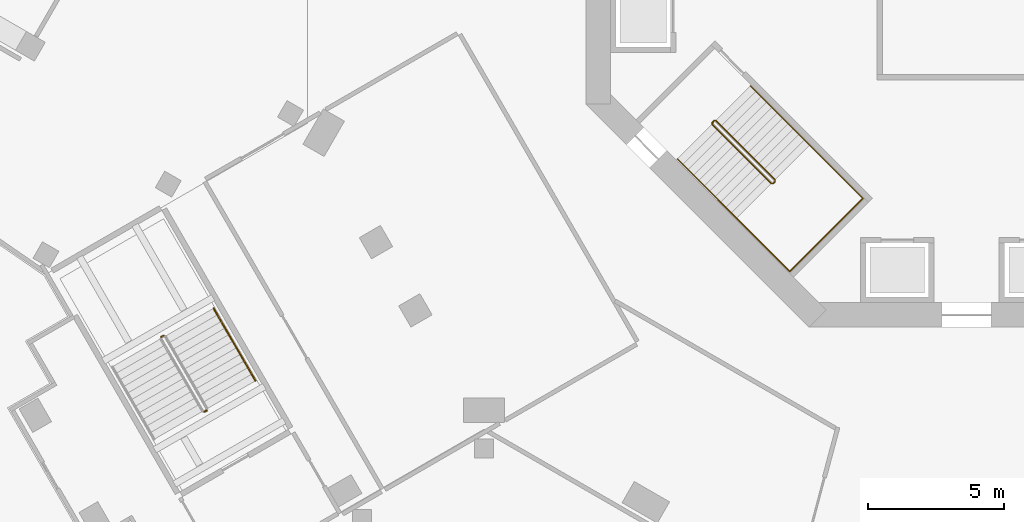
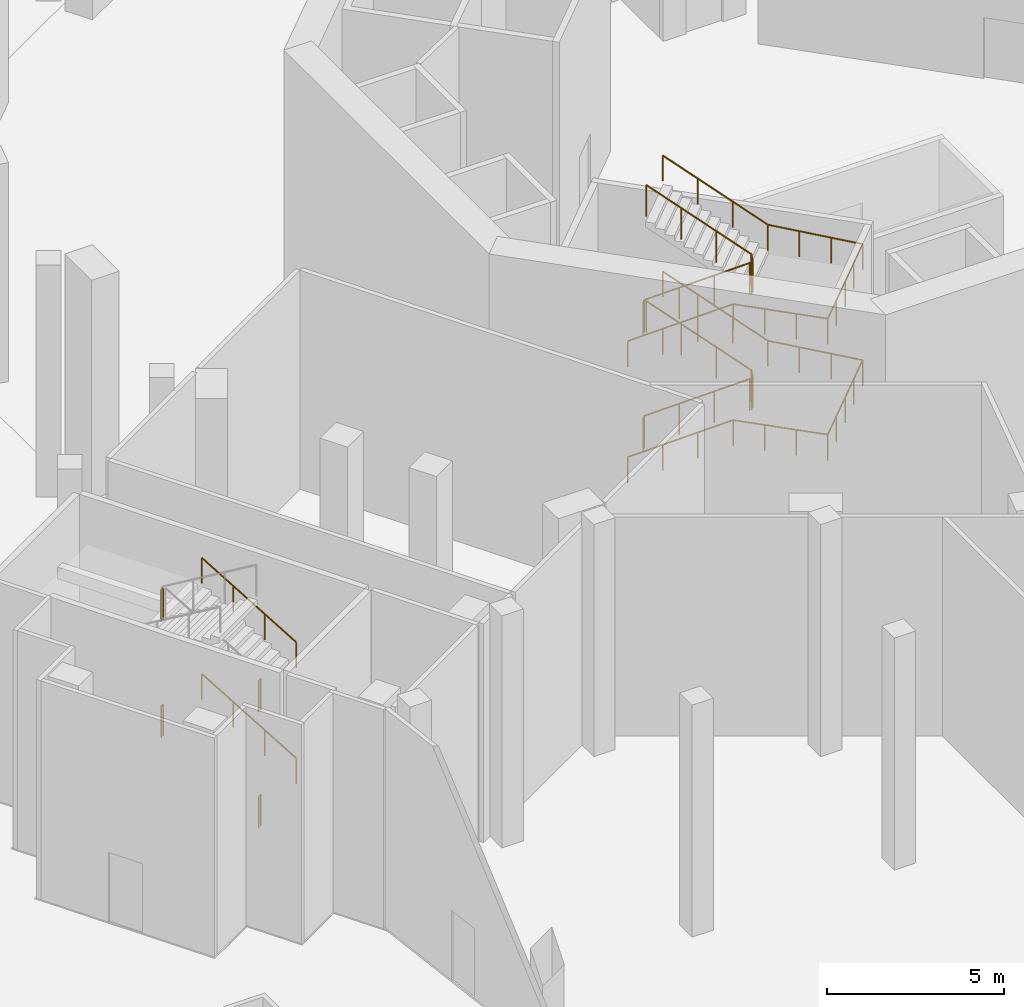
# One storey, part 24 of 30: 9 railings.
"""IFC4 building model written with IfcOpenShell, lengths in metres."""

from ifc_helpers import new_model, si_unit, direction, frame, origin, origin_2d, place, context, subcontext, project, spatial, circle, extrude, material, type_object, element, save


model = new_model("IFC4")

# Units and contexts
model_context = context("Model", 3, precision=1e-05, world=origin(), true_north=direction((0.0, 1.0)))
body_context = subcontext(model_context, "Body", "Model", "MODEL_VIEW")
ifc_project = project(units=[si_unit("LENGTHUNIT", "METRE"), si_unit("AREAUNIT", "SQUARE_METRE"), si_unit("VOLUMEUNIT", "CUBIC_METRE"), si_unit("PLANEANGLEUNIT", "RADIAN"), si_unit("MASSUNIT", "GRAM", prefix="KILO")], contexts=[model_context])

# Site, building, storey
site_placement = place(None, origin())
site = spatial("IfcSite", under=ifc_project, at=site_placement, CompositionType="ELEMENT")
building_placement = place(site_placement, origin())
building = spatial("IfcBuilding", under=site, at=building_placement, Name="Verdalira Terraces Hotel", CompositionType="ELEMENT")
storey_placement = place(building_placement, origin())
storey = spatial("IfcBuildingStorey", under=building, at=storey_placement, Name="L00", CompositionType="ELEMENT", Elevation=0.0)

# Railings
ifc_material_1 = material(Name="Stainless steel", Category="steel")
railing_type_1 = type_object("IfcRailingType", Name="Stair guard 1100", PredefinedType="GUARDRAIL", material=ifc_material_1)
railing_1_placement = place(storey_placement, frame((-9.369141, -6.469971, 0.0)))
element("IfcRailing", 1, at=railing_1_placement, inside=storey, type_object=railing_type_1, Name="L00 ST2 stair guard 1", PredefinedType="GUARDRAIL", context=body_context, shape_type="SweptSolid", body=[
    extrude(circle(Radius=0.023926, at=origin_2d()), frame((0.0, 0.0, 1.076172), z_axis=(0.70832698, 0.705884473, 0.0), x_axis=(-0.705884473, 0.70832698, 0.0)), (0.0, 0.0, 1.0), 0.099854),
    extrude(circle(Radius=0.023926, at=origin_2d()), frame((0.070801, 0.070557, 1.076172), z_axis=(-0.308122069, -0.615181649, 0.725680598), x_axis=(0.894118129, -0.447831187, 0.0)), (0.0, 0.0, 1.0), 0.229736),
    extrude(circle(Radius=0.023926, at=origin_2d()), frame((0.0, -0.070801, 1.242676), z_axis=(0.607650571, -0.607582456, 0.51147272), x_axis=(0.707067146, 0.707146414, 0.0)), (0.0, 0.0, 1.0), 3.584229),
    extrude(circle(Radius=0.023926, at=origin_2d()), frame((2.177979, -2.248535, 3.076172), z_axis=(1.0, 0.0, 0.0), x_axis=(0.0, 1.0, 0.0)), (0.0, 0.0, 1.0), 0.070557),
    extrude(circle(Radius=0.023926, at=origin_2d()), frame((2.248535, -2.248535, 3.076172), z_axis=(0.70832698, 0.705884473, 0.0), x_axis=(-0.705884473, 0.70832698, 0.0)), (0.0, 0.0, 1.0), 0.099854),
    extrude(circle(Radius=0.023926, at=origin_2d()), frame((2.319336, -2.177979, 3.076172), z_axis=(0.0, 0.390826706, 0.920464277), x_axis=(-1.0, 0.0, 0.0)), (0.0, 0.0, 1.0), 0.181152),
    extrude(circle(Radius=0.023926, at=origin_2d()), frame((2.319336, -2.107178, 3.242676), z_axis=(-0.607650571, 0.607582456, 0.51147272), x_axis=(-0.707067146, -0.707146414, 0.0)), (0.0, 0.0, 1.0), 3.584229),
    extrude(circle(Radius=0.023926, at=origin_2d()), frame((0.141357, 0.070557, 5.076172), z_axis=(-1.0, 0.0, 0.0), x_axis=(0.0, -1.0, 0.0)), (0.0, 0.0, 1.0), 0.070557),
    extrude(circle(Radius=0.023926, at=origin_2d()), frame((0.070801, 0.070557, 5.076172), z_axis=(-0.70832698, -0.705884473, 0.0), x_axis=(0.705884473, -0.70832698, 0.0)), (0.0, 0.0, 1.0), 0.099854),
    extrude(circle(Radius=0.023926, at=origin_2d()), frame((0.0, 0.0, 5.076172), z_axis=(0.0, -0.390826706, 0.920464277), x_axis=(1.0, 0.0, 0.0)), (0.0, 0.0, 1.0), 0.181152),
    extrude(circle(Radius=0.023926, at=origin_2d()), frame((0.0, -0.070801, 5.242676), z_axis=(0.607650571, -0.607582456, 0.51147272), x_axis=(0.707067146, 0.707146414, 0.0)), (0.0, 0.0, 1.0), 3.584229),
    extrude(circle(Radius=0.023926, at=origin_2d()), frame((2.177979, -2.248535, 7.076172), z_axis=(1.0, 0.0, 0.0), x_axis=(0.0, 1.0, 0.0)), (0.0, 0.0, 1.0), 0.070557),
    extrude(circle(Radius=0.023926, at=origin_2d()), frame((2.248535, -2.248535, 7.076172), z_axis=(0.70832698, 0.705884473, 0.0), x_axis=(-0.705884473, 0.70832698, 0.0)), (0.0, 0.0, 1.0), 0.099854),
    extrude(circle(Radius=0.023926, at=origin_2d()), frame((2.319336, -2.177979, 7.076172), z_axis=(0.0, 0.390826706, 0.920464277), x_axis=(-1.0, 0.0, 0.0)), (0.0, 0.0, 1.0), 0.181152),
    extrude(circle(Radius=0.023926, at=origin_2d()), frame((2.319336, -2.107178, 7.242676), z_axis=(-0.607650571, 0.607582456, 0.51147272), x_axis=(-0.707067146, -0.707146414, 0.0)), (0.0, 0.0, 1.0), 3.584229),
    extrude(circle(Radius=0.020996, at=origin_2d()), origin(), (0.0, 0.0, 1.0), 1.052002),
    extrude(circle(Radius=0.020996, at=origin_2d()), frame((0.070801, 0.070557, 0.0)), (0.0, 0.0, 1.0), 1.052002),
    extrude(circle(Radius=0.020996, at=origin_2d()), frame((0.0, -0.070801, 0.166748)), (0.0, 0.0, 1.0), 1.052002),
    extrude(circle(Radius=0.020996, at=origin_2d()), frame((0.726074, -0.796631, 0.777832)), (0.0, 0.0, 1.0), 1.052002),
    extrude(circle(Radius=0.020996, at=origin_2d()), frame((1.451904, -1.522705, 1.388916)), (0.0, 0.0, 1.0), 1.052002),
    extrude(circle(Radius=0.020996, at=origin_2d()), frame((2.177979, -2.248535, 2.0)), (0.0, 0.0, 1.0), 1.052002),
    extrude(circle(Radius=0.020996, at=origin_2d()), frame((2.248535, -2.248535, 2.0)), (0.0, 0.0, 1.0), 1.052002),
    extrude(circle(Radius=0.020996, at=origin_2d()), frame((2.319336, -2.177979, 2.0)), (0.0, 0.0, 1.0), 1.052002),
    extrude(circle(Radius=0.020996, at=origin_2d()), frame((2.319336, -2.107178, 2.166748)), (0.0, 0.0, 1.0), 1.052002),
    extrude(circle(Radius=0.020996, at=origin_2d()), frame((1.593262, -1.381348, 2.777832)), (0.0, 0.0, 1.0), 1.052002),
    extrude(circle(Radius=0.020996, at=origin_2d()), frame((0.867432, -0.655273, 3.388916)), (0.0, 0.0, 1.0), 1.052002),
    extrude(circle(Radius=0.020996, at=origin_2d()), frame((0.141357, 0.070557, 4.0)), (0.0, 0.0, 1.0), 1.052002),
    extrude(circle(Radius=0.020996, at=origin_2d()), frame((0.070801, 0.070557, 4.0)), (0.0, 0.0, 1.0), 1.052002),
    extrude(circle(Radius=0.020996, at=origin_2d()), frame((0.0, 0.0, 4.0)), (0.0, 0.0, 1.0), 1.052002),
    extrude(circle(Radius=0.020996, at=origin_2d()), frame((0.0, -0.070801, 4.166748)), (0.0, 0.0, 1.0), 1.052002),
    extrude(circle(Radius=0.020996, at=origin_2d()), frame((0.726074, -0.796631, 4.777832)), (0.0, 0.0, 1.0), 1.052002),
    extrude(circle(Radius=0.020996, at=origin_2d()), frame((1.451904, -1.522705, 5.388916)), (0.0, 0.0, 1.0), 1.052002),
    extrude(circle(Radius=0.020996, at=origin_2d()), frame((2.177979, -2.248535, 6.0)), (0.0, 0.0, 1.0), 1.052002),
    extrude(circle(Radius=0.020996, at=origin_2d()), frame((2.248535, -2.248535, 6.0)), (0.0, 0.0, 1.0), 1.052002),
    extrude(circle(Radius=0.020996, at=origin_2d()), frame((2.319336, -2.177979, 6.0)), (0.0, 0.0, 1.0), 1.052002),
    extrude(circle(Radius=0.020996, at=origin_2d()), frame((2.319336, -2.107178, 6.166748)), (0.0, 0.0, 1.0), 1.052002),
    extrude(circle(Radius=0.020996, at=origin_2d()), frame((1.593262, -1.381348, 6.777832)), (0.0, 0.0, 1.0), 1.052002),
    extrude(circle(Radius=0.020996, at=origin_2d()), frame((0.867432, -0.655273, 7.388916)), (0.0, 0.0, 1.0), 1.052002),
    extrude(circle(Radius=0.020996, at=origin_2d()), frame((0.141357, 0.070557, 8.0)), (0.0, 0.0, 1.0), 1.052002),
])
railing_2_placement = place(storey_placement, frame((-29.552246, -14.313965, 2.0)))
element("IfcRailing", 2, at=railing_2_placement, inside=storey, type_object=railing_type_1, Name="L00 PS2 stair guard 2", PredefinedType="GUARDRAIL", context=body_context, shape_type="SweptSolid", body=[
    extrude(circle(Radius=0.023926, at=origin_2d()), frame((0.0, 0.0, 1.076172), z_axis=(-0.867038199, -0.498241669, 0.0), x_axis=(0.498241669, -0.867038199, 0.0)), (0.0, 0.0, 1.0), 0.099854),
    extrude(circle(Radius=0.020996, at=origin_2d()), origin(), (0.0, 0.0, 1.0), 1.052002),
    extrude(circle(Radius=0.020996, at=origin_2d()), frame((-0.08667, -0.049805, 0.0)), (0.0, 0.0, 1.0), 1.052002),
])
railing_3_placement = place(storey_placement, frame((-27.962402, -17.067871, 4.0)))
element("IfcRailing", 3, at=railing_3_placement, inside=storey, type_object=railing_type_1, Name="L00 PS2 stair guard 4", PredefinedType="GUARDRAIL", context=body_context, shape_type="SweptSolid", body=[
    extrude(circle(Radius=0.023926, at=origin_2d()), frame((0.0, 0.0, 1.076172), z_axis=(-0.865370492, -0.501132629, 0.0), x_axis=(0.501132629, -0.865370492, 0.0)), (0.0, 0.0, 1.0), 0.099854),
    extrude(circle(Radius=0.020996, at=origin_2d()), origin(), (0.0, 0.0, 1.0), 1.052002),
    extrude(circle(Radius=0.020996, at=origin_2d()), frame((-0.086426, -0.050049, 0.0)), (0.0, 0.0, 1.0), 1.052002),
])
railing_4_placement = place(storey_placement, frame((-29.552246, -14.313965, 6.0)))
element("IfcRailing", 4, at=railing_4_placement, inside=storey, type_object=railing_type_1, Name="L00 PS2 stair guard 6", PredefinedType="GUARDRAIL", context=body_context, shape_type="SweptSolid", body=[
    extrude(circle(Radius=0.023926, at=origin_2d()), frame((0.0, 0.0, 1.076172), z_axis=(-0.867038199, -0.498241669, 0.0), x_axis=(0.498241669, -0.867038199, 0.0)), (0.0, 0.0, 1.0), 0.099854),
    extrude(circle(Radius=0.020996, at=origin_2d()), origin(), (0.0, 0.0, 1.0), 1.052002),
    extrude(circle(Radius=0.020996, at=origin_2d()), frame((-0.08667, -0.049805, 0.0)), (0.0, 0.0, 1.0), 1.052002),
])
railing_5_placement = place(storey_placement, frame((-27.962402, -17.067871, 0.0)))
element("IfcRailing", 5, at=railing_5_placement, inside=storey, type_object=railing_type_1, Name="L00 PS2 stair guard 8", PredefinedType="GUARDRAIL", context=body_context, shape_type="SweptSolid", body=[
    extrude(circle(Radius=0.023926, at=origin_2d()), frame((0.0, 0.0, 1.076172), z_axis=(-0.865370492, -0.501132629, 0.0), x_axis=(0.501132629, -0.865370492, 0.0)), (0.0, 0.0, 1.0), 0.099854),
    extrude(circle(Radius=0.020996, at=origin_2d()), origin(), (0.0, 0.0, 1.0), 1.052002),
    extrude(circle(Radius=0.020996, at=origin_2d()), frame((-0.086426, -0.050049, 0.0)), (0.0, 0.0, 1.0), 1.052002),
])
ifc_material_2 = material(Name="Stainless steel", Category="steel")
railing_type_2 = type_object("IfcRailingType", Name="Stair handrail 900", PredefinedType="HANDRAIL", material=ifc_material_2)
railing_6_placement = place(storey_placement, frame((-10.641846, -7.813477, 0.166748)))
element("IfcRailing", 6, at=railing_6_placement, inside=storey, type_object=railing_type_2, Name="L00 ST2 stair handrail 1", PredefinedType="HANDRAIL", context=body_context, shape_type="SweptSolid", body=[
    extrude(circle(Radius=0.023926, at=origin_2d()), frame((0.0, 0.0, 0.875977), z_axis=(0.607582456, -0.607650571, 0.51147272), x_axis=(0.707146414, 0.707067146, 0.0)), (0.0, 0.0, 1.0), 3.584229),
    extrude(circle(Radius=0.023926, at=origin_2d()), frame((2.177734, -2.177979, 2.708984), z_axis=(0.707106781, -0.707106781, 0.0), x_axis=(0.707106781, 0.707106781, 0.0)), (0.0, 0.0, 1.0), 2.77002),
    extrude(circle(Radius=0.023926, at=origin_2d()), frame((4.136475, -4.136719, 2.708984), z_axis=(0.707106781, 0.707106781, 0.0), x_axis=(-0.707106781, 0.707106781, 0.0)), (0.0, 0.0, 1.0), 3.800049),
    extrude(circle(Radius=0.023926, at=origin_2d()), frame((6.823486, -1.449707, 2.708984), z_axis=(-0.705829123, 0.705829123, 0.06008741), x_axis=(-0.707106781, -0.707106781, 0.0)), (0.0, 0.0, 1.0), 2.775146),
    extrude(circle(Radius=0.023926, at=origin_2d()), frame((4.864746, 0.509033, 2.875977), z_axis=(-0.607582456, 0.607650571, 0.51147272), x_axis=(-0.707146414, -0.707067146, 0.0)), (0.0, 0.0, 1.0), 3.584229),
    extrude(circle(Radius=0.020996, at=origin_2d()), origin(), (0.0, 0.0, 1.0), 0.851807),
    extrude(circle(Radius=0.020996, at=origin_2d()), frame((0.72583, -0.726074, 0.611084)), (0.0, 0.0, 1.0), 0.851807),
    extrude(circle(Radius=0.020996, at=origin_2d()), frame((1.451904, -1.451904, 1.222168)), (0.0, 0.0, 1.0), 0.851807),
    extrude(circle(Radius=0.020996, at=origin_2d()), frame((2.177734, -2.177979, 1.833252)), (0.0, 0.0, 1.0), 0.851807),
    extrude(circle(Radius=0.020996, at=origin_2d()), frame((2.830566, -2.830811, 1.833252)), (0.0, 0.0, 1.0), 0.851807),
    extrude(circle(Radius=0.020996, at=origin_2d()), frame((3.483643, -3.483887, 1.833252)), (0.0, 0.0, 1.0), 0.851807),
    extrude(circle(Radius=0.020996, at=origin_2d()), frame((4.136475, -4.136719, 1.833252)), (0.0, 0.0, 1.0), 0.851807),
    extrude(circle(Radius=0.020996, at=origin_2d()), frame((4.808105, -3.464844, 1.833252)), (0.0, 0.0, 1.0), 0.851807),
    extrude(circle(Radius=0.020996, at=origin_2d()), frame((5.47998, -2.793213, 1.833252)), (0.0, 0.0, 1.0), 0.851807),
    extrude(circle(Radius=0.020996, at=origin_2d()), frame((6.151855, -2.121582, 1.833252)), (0.0, 0.0, 1.0), 0.851807),
    extrude(circle(Radius=0.020996, at=origin_2d()), frame((6.823486, -1.449707, 1.833252)), (0.0, 0.0, 1.0), 0.851807),
    extrude(circle(Radius=0.020996, at=origin_2d()), frame((6.170654, -0.796875, 1.888916)), (0.0, 0.0, 1.0), 0.851807),
    extrude(circle(Radius=0.020996, at=origin_2d()), frame((5.517578, -0.143799, 1.944336)), (0.0, 0.0, 1.0), 0.851807),
    extrude(circle(Radius=0.020996, at=origin_2d()), frame((4.864746, 0.509033, 2.0)), (0.0, 0.0, 1.0), 0.851807),
    extrude(circle(Radius=0.020996, at=origin_2d()), frame((4.138916, 1.235107, 2.611084)), (0.0, 0.0, 1.0), 0.851807),
    extrude(circle(Radius=0.020996, at=origin_2d()), frame((3.412842, 1.960938, 3.222168)), (0.0, 0.0, 1.0), 0.851807),
    extrude(circle(Radius=0.020996, at=origin_2d()), frame((2.687012, 2.687012, 3.833252)), (0.0, 0.0, 1.0), 0.851807),
])
railing_7_placement = place(storey_placement, frame((-10.641846, -7.813477, 4.166748)))
element("IfcRailing", 7, at=railing_7_placement, inside=storey, type_object=railing_type_2, Name="L00 ST2 stair handrail 2", PredefinedType="HANDRAIL", context=body_context, shape_type="SweptSolid", body=[
    extrude(circle(Radius=0.023926, at=origin_2d()), frame((0.0, 0.0, 0.875977), z_axis=(0.607582456, -0.607650571, 0.51147272), x_axis=(0.707146414, 0.707067146, 0.0)), (0.0, 0.0, 1.0), 3.584229),
    extrude(circle(Radius=0.023926, at=origin_2d()), frame((2.177734, -2.177979, 2.708984), z_axis=(0.707106781, -0.707106781, 0.0), x_axis=(0.707106781, 0.707106781, 0.0)), (0.0, 0.0, 1.0), 2.77002),
    extrude(circle(Radius=0.023926, at=origin_2d()), frame((4.136475, -4.136719, 2.708984), z_axis=(0.707106781, 0.707106781, 0.0), x_axis=(-0.707106781, 0.707106781, 0.0)), (0.0, 0.0, 1.0), 3.800049),
    extrude(circle(Radius=0.023926, at=origin_2d()), frame((6.823486, -1.449707, 2.708984), z_axis=(-0.705829123, 0.705829123, 0.06008741), x_axis=(-0.707106781, -0.707106781, 0.0)), (0.0, 0.0, 1.0), 2.775146),
    extrude(circle(Radius=0.023926, at=origin_2d()), frame((4.864746, 0.509033, 2.875977), z_axis=(-0.607582456, 0.607650571, 0.51147272), x_axis=(-0.707146414, -0.707067146, 0.0)), (0.0, 0.0, 1.0), 3.584229),
    extrude(circle(Radius=0.020996, at=origin_2d()), origin(), (0.0, 0.0, 1.0), 0.851807),
    extrude(circle(Radius=0.020996, at=origin_2d()), frame((0.72583, -0.726074, 0.611084)), (0.0, 0.0, 1.0), 0.851807),
    extrude(circle(Radius=0.020996, at=origin_2d()), frame((1.451904, -1.451904, 1.222168)), (0.0, 0.0, 1.0), 0.851807),
    extrude(circle(Radius=0.020996, at=origin_2d()), frame((2.177734, -2.177979, 1.833252)), (0.0, 0.0, 1.0), 0.851807),
    extrude(circle(Radius=0.020996, at=origin_2d()), frame((2.830566, -2.830811, 1.833252)), (0.0, 0.0, 1.0), 0.851807),
    extrude(circle(Radius=0.020996, at=origin_2d()), frame((3.483643, -3.483887, 1.833252)), (0.0, 0.0, 1.0), 0.851807),
    extrude(circle(Radius=0.020996, at=origin_2d()), frame((4.136475, -4.136719, 1.833252)), (0.0, 0.0, 1.0), 0.851807),
    extrude(circle(Radius=0.020996, at=origin_2d()), frame((4.808105, -3.464844, 1.833252)), (0.0, 0.0, 1.0), 0.851807),
    extrude(circle(Radius=0.020996, at=origin_2d()), frame((5.47998, -2.793213, 1.833252)), (0.0, 0.0, 1.0), 0.851807),
    extrude(circle(Radius=0.020996, at=origin_2d()), frame((6.151855, -2.121582, 1.833252)), (0.0, 0.0, 1.0), 0.851807),
    extrude(circle(Radius=0.020996, at=origin_2d()), frame((6.823486, -1.449707, 1.833252)), (0.0, 0.0, 1.0), 0.851807),
    extrude(circle(Radius=0.020996, at=origin_2d()), frame((6.170654, -0.796875, 1.888916)), (0.0, 0.0, 1.0), 0.851807),
    extrude(circle(Radius=0.020996, at=origin_2d()), frame((5.517578, -0.143799, 1.944336)), (0.0, 0.0, 1.0), 0.851807),
    extrude(circle(Radius=0.020996, at=origin_2d()), frame((4.864746, 0.509033, 2.0)), (0.0, 0.0, 1.0), 0.851807),
    extrude(circle(Radius=0.020996, at=origin_2d()), frame((4.138916, 1.235107, 2.611084)), (0.0, 0.0, 1.0), 0.851807),
    extrude(circle(Radius=0.020996, at=origin_2d()), frame((3.412842, 1.960938, 3.222168)), (0.0, 0.0, 1.0), 0.851807),
    extrude(circle(Radius=0.020996, at=origin_2d()), frame((2.687012, 2.687012, 3.833252)), (0.0, 0.0, 1.0), 0.851807),
])
for number, where, name in (
    (8, (-26.168701, -15.974609, 0.166748), "L00 PS2 stair handrail 1"),
    (9, (-26.168701, -15.974609, 4.166748), "L00 PS2 stair handrail 3"),
):
    element("IfcRailing", number, at=place(storey_placement, frame(where)), inside=storey, type_object=railing_type_2, Name=name, PredefinedType="HANDRAIL", context=body_context, shape_type="SweptSolid", body=[
        extrude(circle(Radius=0.023926, at=origin_2d()), frame((0.0, 0.0, 0.875977), z_axis=(-0.429649415, 0.74418984, 0.511451721), x_axis=(-0.866029833, -0.499992329, 0.0)), (0.0, 0.0, 1.0), 3.584473),
        extrude(circle(Radius=0.020996, at=origin_2d()), origin(), (0.0, 0.0, 1.0), 0.851807),
        extrude(circle(Radius=0.020996, at=origin_2d()), frame((-0.513428, 0.88916, 0.611084)), (0.0, 0.0, 1.0), 0.851807),
        extrude(circle(Radius=0.020996, at=origin_2d()), frame((-1.026611, 1.77832, 1.222168)), (0.0, 0.0, 1.0), 0.851807),
        extrude(circle(Radius=0.020996, at=origin_2d()), frame((-1.540039, 2.66748, 1.833252)), (0.0, 0.0, 1.0), 0.851807),
    ])

save(model, "model.ifc")
